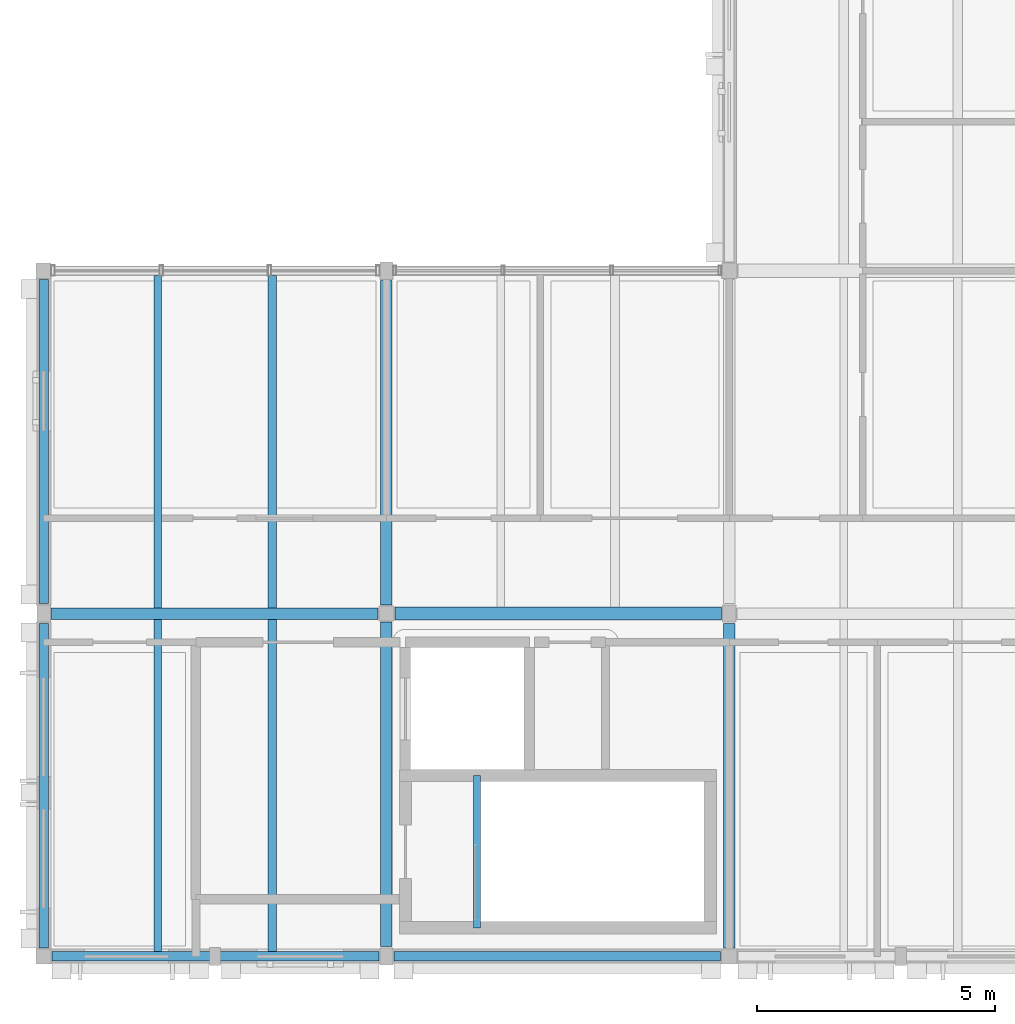
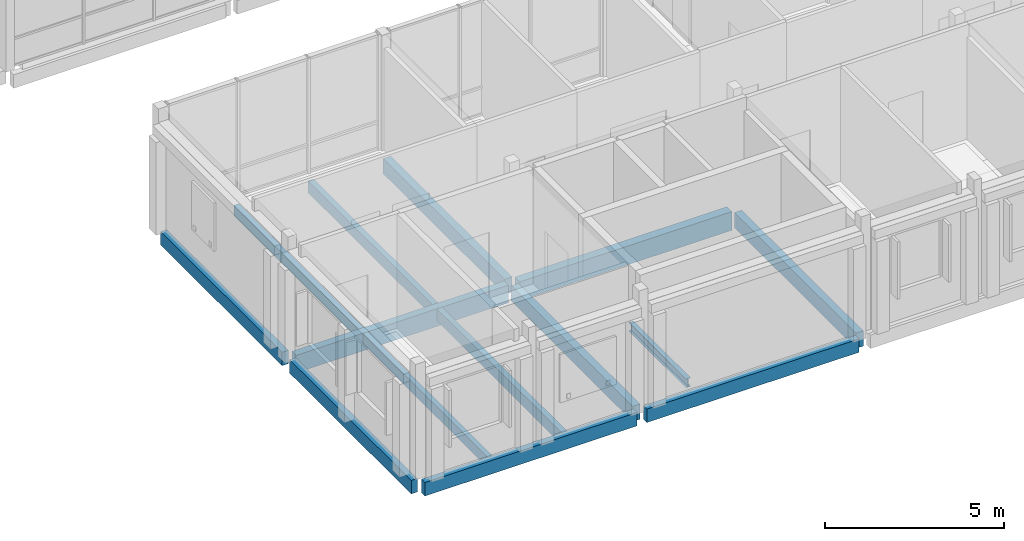
# One storey, part 4 of 115: 14 beams.
"""IFC4 building model written with IfcOpenShell, lengths in metres."""

from ifc_helpers import new_model, si_unit, direction, frame, origin, origin_2d, place, context, subcontext, project, spatial, rectangle, i_section, extrude, material, material_profile, profile_set, type_object, element, save


model = new_model("IFC4")

# Units and contexts
model_context = context("Model", 3, precision=1e-05, world=origin(), true_north=direction((0.0, 1.0)))
body_context = subcontext(model_context, "Body", "Model", "MODEL_VIEW")
ifc_project = project(units=[si_unit("LENGTHUNIT", "METRE"), si_unit("AREAUNIT", "SQUARE_METRE"), si_unit("VOLUMEUNIT", "CUBIC_METRE"), si_unit("PLANEANGLEUNIT", "RADIAN"), si_unit("MASSUNIT", "GRAM", prefix="KILO")], contexts=[model_context])

# Site, building, storey
site_placement = place(None, origin())
site = spatial("IfcSite", under=ifc_project, at=site_placement, CompositionType="ELEMENT")
building_placement = place(site_placement, origin())
building = spatial("IfcBuilding", under=site, at=building_placement, Name="Hawrajan Terrace Health Centre", CompositionType="ELEMENT")
storey_placement = place(building_placement, frame((0.0, 0.0, 9.0)))
storey = spatial("IfcBuildingStorey", under=building, at=storey_placement, Name="L02", CompositionType="ELEMENT", Elevation=9.0)

# Beams
ifc_material_1 = material(Name="Glulam GL32h", Category="wood")
ifc_material_profile_1 = material_profile(ifc_material_1, rectangle(XDim=0.239990234375, YDim=0.52001953125, at=origin_2d()), Name="GL BM 240x520")
ifc_profile_set_1 = profile_set([ifc_material_profile_1], Name="Glulam GL32h")
beam_type_1 = type_object("IfcBeamType", Name="GlulamGirder_240x520", PredefinedType="BEAM", material=ifc_profile_set_1)
beam_1_placement = place(storey_placement, frame((11.800048828125, 4.409912109375, -0.5), z_axis=(0.0, 1.0, 0.0), x_axis=(-1.0, 0.0, 0.0)))
element("IfcBeam", 1, at=beam_1_placement, inside=storey, type_object=beam_type_1, Name="Beam BM-Y-L02-W-X02-1", PredefinedType="BEAM", context=body_context, shape_type="SweptSolid", body=[
    extrude(rectangle(XDim=0.239990234375, YDim=0.52001953125, at=origin_2d()), origin(), (0.0, 0.0, 1.0), 6.81005859375),
])
beam_2_placement = place(storey_placement, frame((11.800048828125, 11.580078125, -0.5), z_axis=(0.0, 1.0, 0.0), x_axis=(-1.0, 0.0, 0.0)))
element("IfcBeam", 2, at=beam_2_placement, inside=storey, type_object=beam_type_1, Name="Beam BM-Y-L02-W-X02-2", PredefinedType="BEAM", context=body_context, shape_type="SweptSolid", body=[
    extrude(rectangle(XDim=0.239990234375, YDim=0.52001953125, at=origin_2d()), origin(), (0.0, 0.0, 1.0), 6.809814453125),
])
beam_3_placement = place(storey_placement, frame((19.0, 4.3798828125, -0.5), z_axis=(0.0, 1.0, 0.0), x_axis=(-1.0, 0.0, 0.0)))
element("IfcBeam", 3, at=beam_3_placement, inside=storey, type_object=beam_type_1, Name="Beam BM-Y-L02-W-X03-1", PredefinedType="BEAM", context=body_context, shape_type="SweptSolid", body=[
    extrude(rectangle(XDim=0.239990234375, YDim=0.52001953125, at=origin_2d()), origin(), (0.0, 0.0, 1.0), 6.81005859375),
])
ifc_material_profile_2 = material_profile(ifc_material_1, rectangle(XDim=0.239990234375, YDim=0.60009765625, at=origin_2d()), Name="GL BM 240x600")
ifc_profile_set_2 = profile_set([ifc_material_profile_2], Name="Glulam GL32h")
beam_type_2 = type_object("IfcBeamType", Name="GlulamGirder_240x600", PredefinedType="BEAM", material=ifc_profile_set_2)
beam_4_placement = place(storey_placement, frame((4.760009765625, 11.39990234375, -0.5400390625), z_axis=(1.0, 0.0, 0.0), x_axis=(0.0, 1.0, 0.0)))
element("IfcBeam", 4, at=beam_4_placement, inside=storey, type_object=beam_type_2, Name="Beam BM-X-L02-W-01-Y2", PredefinedType="BEAM", context=body_context, shape_type="SweptSolid", body=[
    extrude(rectangle(XDim=0.239990234375, YDim=0.60009765625, at=origin_2d()), origin(), (0.0, 0.0, 1.0), 6.860107421875),
])
ifc_material_profile_3 = material_profile(ifc_material_1, rectangle(XDim=0.280029296875, YDim=0.639892578125, at=origin_2d()), Name="GL BM 280x640")
ifc_profile_set_3 = profile_set([ifc_material_profile_3], Name="Glulam GL32h")
beam_type_3 = type_object("IfcBeamType", Name="GlulamGirder_280x640", PredefinedType="BEAM", material=ifc_profile_set_3)
beam_5_placement = place(storey_placement, frame((11.97998046875, 11.39990234375, -0.56005859375), z_axis=(1.0, 0.0, 0.0), x_axis=(0.0, 1.0, 0.0)))
element("IfcBeam", 5, at=beam_5_placement, inside=storey, type_object=beam_type_3, Name="Beam BM-X-L02-W-02-Y2", PredefinedType="BEAM", context=body_context, shape_type="SweptSolid", body=[
    extrude(rectangle(XDim=0.280029296875, YDim=0.639892578125, at=origin_2d()), origin(), (0.0, 0.0, 1.0), 6.860107421875),
])
ifc_material_2 = material(Name="Glulam GL28h", Category="wood")
ifc_material_profile_4 = material_profile(ifc_material_2, rectangle(XDim=0.159912109375, YDim=0.360107421875, at=origin_2d()), Name="GL JST 160x360")
ifc_profile_set_4 = profile_set([ifc_material_profile_4], Name="Glulam GL28h")
beam_type_4 = type_object("IfcBeamType", Name="GlulamJoist_160x360", PredefinedType="JOIST", material=ifc_profile_set_4)
for number, where, z_axis, x_axis, name in (
    (6, (7.0, 4.300048828125, -0.419921875), (0.0, 1.0, 0.0), (-1.0, 0.0, 0.0), "Secondary joist JST-L02-W-01-1-1"),
    (7, (7.0, 11.52001953125, -0.419921875), (0.0, 1.0, 0.0), (-1.0, 0.0, 0.0), "Secondary joist JST-L02-W-01-2-1"),
):
    element("IfcBeam", number, at=place(storey_placement, frame(where, z_axis=z_axis, x_axis=x_axis)), inside=storey, type_object=beam_type_4, Name=name, PredefinedType="JOIST", context=body_context, shape_type="SweptSolid", body=[
        extrude(rectangle(XDim=0.159912109375, YDim=0.360107421875, at=origin_2d()), origin(), (0.0, 0.0, 1.0), 6.97998046875),
    ])
ifc_material_profile_5 = material_profile(ifc_material_2, rectangle(XDim=0.179931640625, YDim=0.39990234375, at=origin_2d()), Name="GL JST 180x400")
ifc_profile_set_5 = profile_set([ifc_material_profile_5], Name="Glulam GL28h")
beam_type_5 = type_object("IfcBeamType", Name="GlulamJoist_180x400", PredefinedType="JOIST", material=ifc_profile_set_5)
for number, where, z_axis, x_axis, name in (
    (8, (9.39990234375, 4.300048828125, -0.43994140625), (0.0, 1.0, 0.0), (-1.0, 0.0, 0.0), "Secondary joist JST-L02-W-01-1-2"),
    (9, (9.39990234375, 11.52001953125, -0.43994140625), (0.0, 1.0, 0.0), (-1.0, 0.0, 0.0), "Secondary joist JST-L02-W-01-2-2"),
):
    element("IfcBeam", number, at=place(storey_placement, frame(where, z_axis=z_axis, x_axis=x_axis)), inside=storey, type_object=beam_type_5, Name=name, PredefinedType="JOIST", context=body_context, shape_type="SweptSolid", body=[
        extrude(rectangle(XDim=0.179931640625, YDim=0.39990234375, at=origin_2d()), origin(), (0.0, 0.0, 1.0), 6.97998046875),
    ])
ifc_material_profile_6 = material_profile(ifc_material_1, rectangle(XDim=0.199951171875, YDim=0.4599609375, at=origin_2d()), Name="GL SP 200x460")
ifc_profile_set_6 = profile_set([ifc_material_profile_6], Name="Glulam GL32h")
beam_type_6 = type_object("IfcBeamType", Name="GlulamSpandrel_200x460", PredefinedType="SPANDREL", material=ifc_profile_set_6)
beam_6_placement = place(storey_placement, frame((4.780029296875, 4.199951171875, -0.469970703125), z_axis=(1.0, 0.0, 0.0), x_axis=(0.0, 1.0, 0.0)))
element("IfcBeam", 10, at=beam_6_placement, inside=storey, type_object=beam_type_6, Name="Beam BM-X-L02-W-01-Y1", PredefinedType="SPANDREL", context=body_context, shape_type="SweptSolid", body=[
    extrude(rectangle(XDim=0.199951171875, YDim=0.4599609375, at=origin_2d()), origin(), (0.0, 0.0, 1.0), 6.85986328125),
])
beam_7_placement = place(storey_placement, frame((11.9599609375, 4.199951171875, -0.469970703125), z_axis=(1.0, 0.0, 0.0), x_axis=(0.0, 1.0, 0.0)))
element("IfcBeam", 11, at=beam_7_placement, inside=storey, type_object=beam_type_6, Name="Beam BM-X-L02-W-02-Y1", PredefinedType="SPANDREL", context=body_context, shape_type="SweptSolid", body=[
    extrude(rectangle(XDim=0.199951171875, YDim=0.4599609375, at=origin_2d()), origin(), (0.0, 0.0, 1.0), 6.860107421875),
])
beam_8_placement = place(storey_placement, frame((4.60009765625, 4.3798828125, -0.469970703125), z_axis=(0.0, 1.0, 0.0), x_axis=(-1.0, 0.0, 0.0)))
element("IfcBeam", 12, at=beam_8_placement, inside=storey, type_object=beam_type_6, Name="Beam BM-Y-L02-W-X01-1", PredefinedType="SPANDREL", context=body_context, shape_type="SweptSolid", body=[
    extrude(rectangle(XDim=0.199951171875, YDim=0.4599609375, at=origin_2d()), origin(), (0.0, 0.0, 1.0), 6.81005859375),
])
beam_9_placement = place(storey_placement, frame((4.60009765625, 11.610107421875, -0.469970703125), z_axis=(0.0, 1.0, 0.0), x_axis=(-1.0, 0.0, 0.0)))
element("IfcBeam", 13, at=beam_9_placement, inside=storey, type_object=beam_type_6, Name="Beam BM-Y-L02-W-X01-2", PredefinedType="SPANDREL", context=body_context, shape_type="SweptSolid", body=[
    extrude(rectangle(XDim=0.199951171875, YDim=0.4599609375, at=origin_2d()), origin(), (0.0, 0.0, 1.0), 6.809814453125),
])
ifc_material_3 = material(Name="Steel S355", Category="steel")
ifc_material_profile_7 = material_profile(ifc_material_3, i_section(OverallWidth=0.14990234375, OverallDepth=0.300048828125, WebThickness=0.007080078125, FlangeThickness=0.0107421875, FilletRadius=0.014892578125, at=origin_2d()), Name="IPE 300")
ifc_profile_set_7 = profile_set([ifc_material_profile_7], Name="Steel S355")
beam_type_7 = type_object("IfcBeamType", Name="SteelBeam_IPE300", PredefinedType="JOIST", material=ifc_profile_set_7)
beam_10_placement = place(storey_placement, frame((13.699951171875, 4.800048828125, -0.3701171875), z_axis=(0.0, 1.0, 0.0), x_axis=(-1.0, 0.0, 0.0)))
element("IfcBeam", 14, at=beam_10_placement, inside=storey, type_object=beam_type_7, Name="Stair top trimmer ST-3", PredefinedType="JOIST", context=body_context, shape_type="SweptSolid", body=[
    extrude(i_section(OverallWidth=0.14990234375, OverallDepth=0.300048828125, WebThickness=0.007080078125, FlangeThickness=0.0107421875, FilletRadius=0.014892578125, at=origin_2d()), origin(), (0.0, 0.0, 1.0), 3.199951171875),
])

save(model, "model.ifc")
